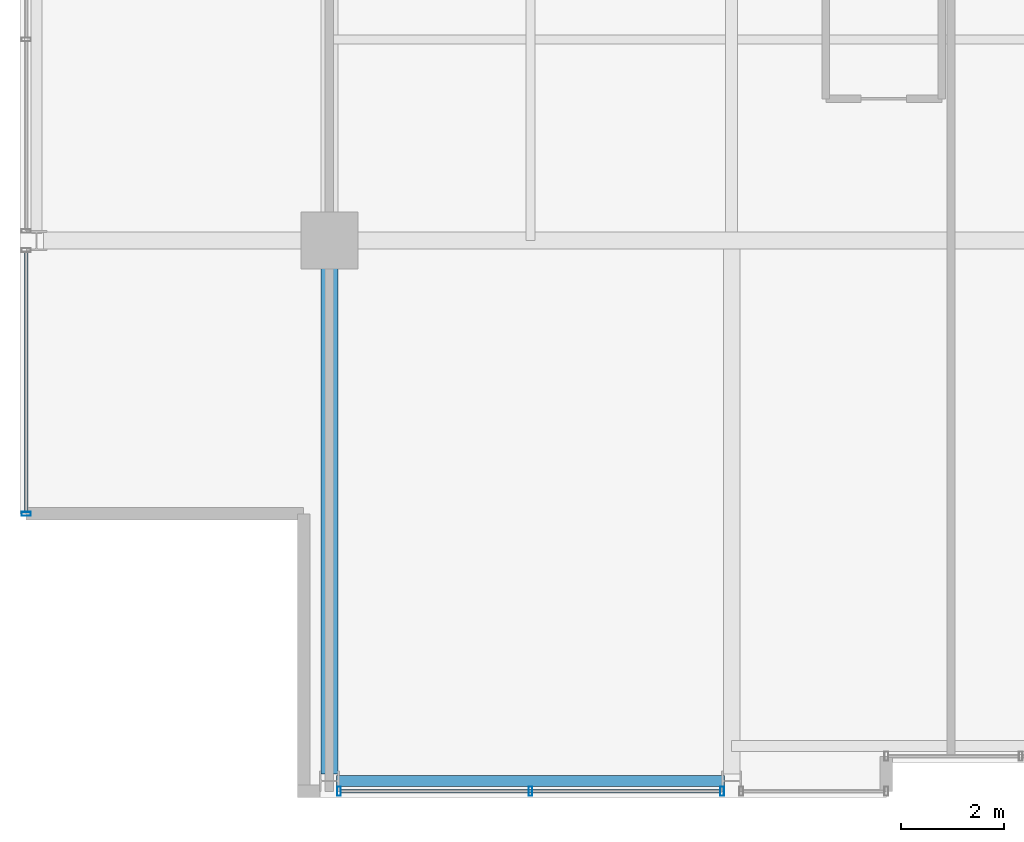
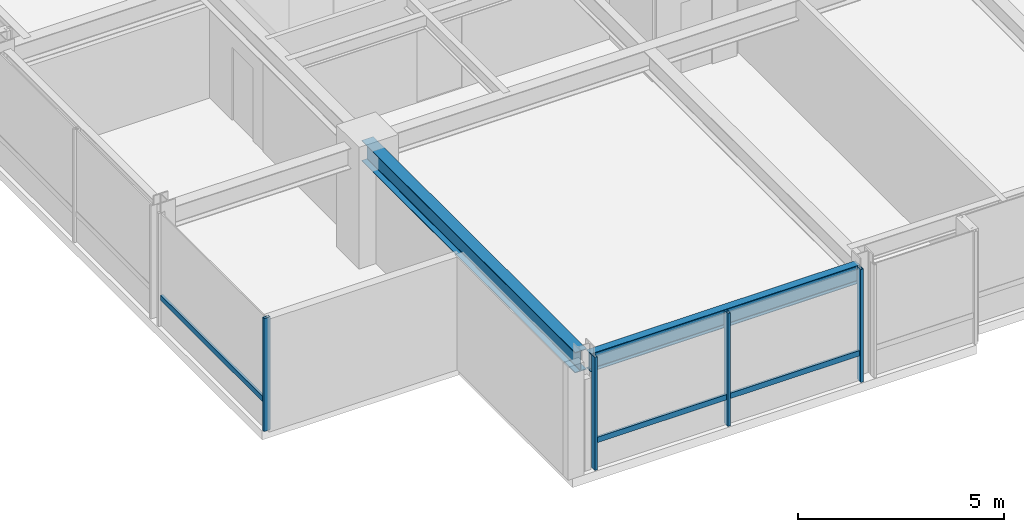
# One storey, part 2 of 30: 6 members, 2 beams, 2 elements without a shape of their own.
"""IFC4 building model written with IfcOpenShell, lengths in metres."""

import ifcopenshell
import ifcopenshell.guid

model = None  # the IFC model being written
_history = None  # IfcOwnerHistory: only IFC2X3 demands one
_inside = {}  # id of a spatial element -> (the spatial element, [elements in it])
_under = {}  # id of a project, library or spatial element -> (it, [spatial elements below it])
_declared = {}  # id of a project -> (the project, [libraries it declares])
_typed = {}  # id of a type object -> (the type object, [elements of that type])
_made_of = {}  # id of a material, layer set ... -> (it, [elements and type objects made of it])


def new_model(schema):
    """Start an empty IFC model of exactly this schema.

    Asked for "IFC4X3", IfcOpenShell would pick the latest addendum, in which some entities
    have other attributes; the version numbers below select the first issue.
    IFC2X3 requires an IfcOwnerHistory on every rooted entity: one is made here for all.
    """
    global model, _history
    if schema == "IFC4X3":
        model = ifcopenshell.file(schema_version=(4, 3, 0, 0))
    else:
        model = ifcopenshell.file(schema=schema)
    _inside.clear()
    _under.clear()
    _declared.clear()
    _typed.clear()
    _made_of.clear()
    _history = None
    if model.schema == "IFC2X3":
        org = make("IfcOrganization", Name="unknown")
        user = make(
            "IfcPersonAndOrganization",
            ThePerson=make("IfcPerson", FamilyName="unknown"),
            TheOrganization=org,
        )
        app = make(
            "IfcApplication",
            ApplicationDeveloper=org,
            Version="unknown",
            ApplicationFullName="unknown",
            ApplicationIdentifier="unknown",
        )
        _history = make(
            "IfcOwnerHistory",
            OwningUser=user,
            OwningApplication=app,
            ChangeAction="ADDED",
            CreationDate=0,
        )
    return model


def make(cls, **values):
    """One entity of the class cls with the attributes given. An attribute that is None is left unset."""
    return model.create_entity(
        cls, **{name: value for name, value in values.items() if value is not None}
    )


def rooted(cls, **values):
    """An entity with a GlobalId (a new one), such as an element, a storey or a relation."""
    return make(cls, GlobalId=ifcopenshell.guid.new(), OwnerHistory=_history, **values)


def si_unit(unit_type, name, prefix=None):
    """IfcSIUnit, for example si_unit("LENGTHUNIT", "METRE", prefix="MILLI")."""
    return make("IfcSIUnit", UnitType=unit_type, Prefix=prefix, Name=name)


def assignment(units):
    """IfcUnitAssignment: the units of a project."""
    return None if units is None else make("IfcUnitAssignment", Units=units)


def point(xyz):
    """IfcCartesianPoint."""
    return None if xyz is None else make("IfcCartesianPoint", Coordinates=xyz)


def direction(xyz):
    """IfcDirection."""
    return None if xyz is None else make("IfcDirection", DirectionRatios=xyz)


def frame(location, z_axis=None, x_axis=None):
    """IfcAxis2Placement3D, a coordinate frame: its origin and axes. An axis left out is left unset."""
    return make(
        "IfcAxis2Placement3D",
        Location=point(location),
        Axis=direction(z_axis),
        RefDirection=direction(x_axis),
    )


def frame_2d(location, x_axis=None):
    """IfcAxis2Placement2D, a coordinate frame in the plane: its origin and x axis."""
    return make(
        "IfcAxis2Placement2D", Location=point(location), RefDirection=direction(x_axis)
    )


def origin():
    """The frame at (0, 0, 0) with its axes left unset."""
    return frame((0.0, 0.0, 0.0))


def origin_2d():
    """The frame at (0, 0) in the plane with its x axis left unset."""
    return frame_2d((0.0, 0.0))


def place(relative_to, where):
    """IfcLocalPlacement: puts the frame where relative to a parent placement (None: the world)."""
    return make(
        "IfcLocalPlacement", PlacementRelTo=relative_to, RelativePlacement=where
    )


def context(
    kind, dimensions, precision=None, world=None, true_north=None, identifier=None
):
    """IfcGeometricRepresentationContext, for example the 3D "Model" context."""
    return make(
        "IfcGeometricRepresentationContext",
        ContextIdentifier=identifier,
        ContextType=kind,
        CoordinateSpaceDimension=dimensions,
        Precision=precision,
        WorldCoordinateSystem=world,
        TrueNorth=true_north,
    )


def subcontext(parent, identifier, kind, view, scale=None):
    """IfcGeometricRepresentationSubContext, for example "Body" below "Model"."""
    return make(
        "IfcGeometricRepresentationSubContext",
        ContextIdentifier=identifier,
        ContextType=kind,
        ParentContext=parent,
        TargetScale=scale,
        TargetView=view,
    )


def project(units=None, contexts=None):
    """IfcProject with its units and contexts."""
    return rooted(
        "IfcProject",
        Name="project",
        RepresentationContexts=contexts,
        UnitsInContext=assignment(units),
    )


def spatial(cls, under=None, at=None, **own):
    """A site, building, storey or space (cls), placed at a placement, below another one or the project."""
    s = rooted(cls, ObjectPlacement=at, **own)
    if under is not None:
        _under.setdefault(under.id(), (under, []))[1].append(s)
    return s


def profile(cls, at=None, kind="AREA", **sizes):
    """A parametric profile (cls). Its sizes go by their IFC names, for example OverallWidth=200.0."""
    return make(cls, ProfileType=kind, Position=at, **sizes)


def hollow_rectangle(**sizes):
    """IfcRectangleHollowProfileDef."""
    return profile("IfcRectangleHollowProfileDef", **sizes)


def i_section(**sizes):
    """IfcIShapeProfileDef."""
    return profile("IfcIShapeProfileDef", **sizes)


def extrude(swept, where, along, depth):
    """IfcExtrudedAreaSolid: the profile swept, set in the frame where, extruded along a direction by depth."""
    return make(
        "IfcExtrudedAreaSolid",
        SweptArea=swept,
        Position=where,
        ExtrudedDirection=direction(along),
        Depth=depth,
    )


def shape(context_of_items, identifier, shape_type, items):
    """IfcShapeRepresentation: the items that make up one representation, for example the "Body"."""
    return make(
        "IfcShapeRepresentation",
        ContextOfItems=context_of_items,
        RepresentationIdentifier=identifier,
        RepresentationType=shape_type,
        Items=items,
    )


def material(Name=None, Category=None):
    """IfcMaterial."""
    return make("IfcMaterial", Name=Name, Category=Category)


def layer(
    of_material, thickness, ventilated=None, Name=None, Category=None, Priority=None
):
    """IfcMaterialLayer: one layer of a wall or slab, of a material (None: an air gap)."""
    return make(
        "IfcMaterialLayer",
        Material=of_material,
        LayerThickness=thickness,
        IsVentilated=ventilated,
        Name=Name,
        Category=Category,
        Priority=Priority,
    )


def layer_set(layers, Name=None):
    """IfcMaterialLayerSet."""
    return make("IfcMaterialLayerSet", MaterialLayers=layers, LayerSetName=Name)


def material_profile(
    of_material, cross_section, Name=None, Category=None, Priority=None
):
    """IfcMaterialProfile: a cross section and its material."""
    return make(
        "IfcMaterialProfile",
        Name=Name,
        Material=of_material,
        Profile=cross_section,
        Priority=Priority,
        Category=Category,
    )


def profile_set(profiles, Name=None, composite=None):
    """IfcMaterialProfileSet."""
    return make(
        "IfcMaterialProfileSet",
        Name=Name,
        MaterialProfiles=profiles,
        CompositeProfile=composite,
    )


def made_of(thing, what):
    """Note that an element or type object is made of a material, layer set ...; save() writes the relation."""
    if what is not None:
        _made_of.setdefault(what.id(), (what, []))[1].append(thing)
    return thing


def type_object(cls, material=None, **own):
    """A type object (cls), such as IfcWallType, which elements share."""
    return made_of(rooted(cls, **own), material)


def element(
    cls,
    number,
    at=None,
    inside=None,
    cuts=None,
    type_object=None,
    material=None,
    context=None,
    identifier="Body",
    shape_type=None,
    held_by="IfcProductDefinitionShape",
    body=None,
    shapes=None,
    **own,
):
    """One element of the class cls, such as IfcWall. Its Tag is "e" and its number.

    at: its placement. inside: the storey or other place that contains it. cuts: it is an
    opening in that element (IfcRelVoidsElement). A single representation is given by context,
    identifier, shape_type and body (its items); several are given by shapes. held_by: the class
    of the entity that holds the representations. save() writes the other relations.
    """
    e = rooted(cls, Tag="e%d" % number, ObjectPlacement=at, **own)
    if body is not None:
        shapes = [shape(context, identifier, shape_type, body)]
    if shapes is not None:
        e.Representation = make(held_by, Representations=shapes)
    if inside is not None:
        _inside.setdefault(inside.id(), (inside, []))[1].append(e)
    if cuts is not None:
        rooted(
            "IfcRelVoidsElement", RelatingBuildingElement=cuts, RelatedOpeningElement=e
        )
    if type_object is not None:
        _typed.setdefault(type_object.id(), (type_object, []))[1].append(e)
    return made_of(e, material)


def aggregate(whole, parts):
    """IfcRelAggregates: a whole, such as a stair, and the parts it consists of."""
    return rooted("IfcRelAggregates", RelatingObject=whole, RelatedObjects=parts)


def save(model, path):
    """Write the relations noted so far, then the file.

    IfcRelAggregates (storeys below a building ...), IfcRelContainedInSpatialStructure (elements
    in a storey), IfcRelDefinesByType, IfcRelAssociatesMaterial and IfcRelDeclares: one each for
    every whole, place, type object, material and project.
    """
    for whole, parts in _under.values():
        aggregate(whole, parts)
    for where, things in _inside.values():
        rooted(
            "IfcRelContainedInSpatialStructure",
            RelatedElements=things,
            RelatingStructure=where,
        )
    for kind, things in _typed.values():
        rooted("IfcRelDefinesByType", RelatedObjects=things, RelatingType=kind)
    for what, things in _made_of.values():
        rooted("IfcRelAssociatesMaterial", RelatedObjects=things, RelatingMaterial=what)
    for by, libraries in _declared.values():
        rooted("IfcRelDeclares", RelatingContext=by, RelatedDefinitions=libraries)
    model.write(path)


model = new_model("IFC4")

# Units and contexts
model_context = context("Model", 3, precision=1e-05, world=origin(), true_north=direction((0.0, 1.0)))
body_context = subcontext(model_context, "Body", "Model", "MODEL_VIEW")
ifc_project = project(units=[si_unit("LENGTHUNIT", "METRE"), si_unit("AREAUNIT", "SQUARE_METRE"), si_unit("VOLUMEUNIT", "CUBIC_METRE"), si_unit("PLANEANGLEUNIT", "RADIAN"), si_unit("MASSUNIT", "GRAM", prefix="KILO")], contexts=[model_context])

# Site, building, storey
site_placement = place(None, origin())
site = spatial("IfcSite", under=ifc_project, at=site_placement, CompositionType="ELEMENT")
building_placement = place(site_placement, origin())
building = spatial("IfcBuilding", under=site, at=building_placement, Name="Drelvath Grand Hotel", CompositionType="ELEMENT")
storey_placement = place(building_placement, frame((0.0, 0.0, 215.89990234375)))
storey = spatial("IfcBuildingStorey", under=building, at=storey_placement, Name="L56", CompositionType="ELEMENT", Elevation=215.89990234375)

# Curtain wall, member
ifc_material_1 = material(Name="Platinum-Mist Anodised Aluminium Frame", Category="aluminium")
ifc_layer = layer(ifc_material_1, 0.199951171875)
ifc_layer_set = layer_set([ifc_layer], Name="Platinum-Mist Anodised Aluminium Frame")
curtain_wall_type = type_object("IfcCurtainWallType", Name="Stick Curtain Wall CW-05 Platinum Mist High-Rise", PredefinedType="NOTDEFINED", material=ifc_layer_set)
curtain_wall_1_placement = place(storey_placement, origin())
curtain_wall_1 = element("IfcCurtainWall", 1, at=curtain_wall_1_placement, inside=storey, type_object=curtain_wall_type, Name="L56 CW-05 Curtain Wall CW05-L56-WS1", PredefinedType="NOTDEFINED")
ifc_material_profile_1 = material_profile(ifc_material_1, hollow_rectangle(XDim=0.06494140625, YDim=0.159912109375, WallThickness=0.00390625, at=origin_2d()), Name="HSS160X65X4")
ifc_profile_set_1 = profile_set([ifc_material_profile_1], Name="Platinum-Mist Anodised Aluminium Frame")
member_type_1 = type_object("IfcMemberType", Name="Curtain Wall Horizontal Transom CW-05 HSS160X65X4", PredefinedType="USERDEFINED", material=ifc_profile_set_1)
member_1_placement = place(storey_placement, frame((-22.080078125, 5.5400390625, 0.835205078125), z_axis=(0.0, 1.0, 0.0), x_axis=(-1.0, 0.0, 0.0)))
member_1 = element("IfcMember", 2, at=member_1_placement, type_object=member_type_1, Name="CW05-L56-WS1 Sill Transom", ObjectType="TRANSOM", PredefinedType="USERDEFINED", context=body_context, shape_type="SweptSolid", body=[
    extrude(hollow_rectangle(XDim=0.06494140625, YDim=0.159912109375, WallThickness=0.00390625, at=origin_2d()), origin(), (0.0, 0.0, 1.0), 5.03466796875),
])

curtain_wall_2_placement = place(storey_placement, origin())
curtain_wall_2 = element("IfcCurtainWall", 3, at=curtain_wall_2_placement, inside=storey, type_object=curtain_wall_type, Name="L56 CW-05 Curtain Wall CW05-L56-SW2", PredefinedType="NOTDEFINED")
member_2_placement = place(storey_placement, frame((-8.625244140625, 0.1201171875, 0.835205078125), z_axis=(-1.0, 0.0, 0.0), x_axis=(0.0, -1.0, 0.0)))
member_2 = element("IfcMember", 4, at=member_2_placement, type_object=member_type_1, Name="CW05-L56-SW2 Sill Transom", ObjectType="TRANSOM", PredefinedType="USERDEFINED", context=body_context, shape_type="SweptSolid", body=[
    extrude(hollow_rectangle(XDim=0.06494140625, YDim=0.159912109375, WallThickness=0.00390625, at=origin_2d()), origin(), (0.0, 0.0, 1.0), 7.349365234375),
])

# Member
ifc_material_profile_2 = material_profile(ifc_material_1, hollow_rectangle(XDim=0.074951171875, YDim=0.179931640625, WallThickness=0.0048828125, at=origin_2d()), Name="HSS180X75X5")
ifc_profile_set_2 = profile_set([ifc_material_profile_2], Name="Platinum-Mist Anodised Aluminium Frame")
member_type_2 = type_object("IfcMemberType", Name="Curtain Wall Vertical Mullion CW-05 HSS180X75X5", PredefinedType="MULLION", material=ifc_profile_set_2)
member_3_placement = place(storey_placement, frame((-22.080078125, 5.5, 0.0), z_axis=(0.0, 0.0, 1.0), x_axis=(0.0, 1.0, 0.0)))
member_3 = element("IfcMember", 5, at=member_3_placement, type_object=member_type_2, Name="CW05-L56-WS1 Mullion 1", PredefinedType="MULLION", context=body_context, shape_type="SweptSolid", body=[
    extrude(hollow_rectangle(XDim=0.074951171875, YDim=0.179931640625, WallThickness=0.0048828125, at=origin_2d()), origin(), (0.0, 0.0, 1.0), 3.340087890625),
])

aggregate(curtain_wall_1, [member_3, member_1])

member_4_placement = place(storey_placement, frame((-8.585205078125, 0.1201171875, 0.0), z_axis=(0.0, 0.0, 1.0), x_axis=(1.0, 0.0, 0.0)))
member_4 = element("IfcMember", 6, at=member_4_placement, type_object=member_type_2, Name="CW05-L56-SW2 Mullion 1", PredefinedType="MULLION", context=body_context, shape_type="SweptSolid", body=[
    extrude(hollow_rectangle(XDim=0.074951171875, YDim=0.179931640625, WallThickness=0.0048828125, at=origin_2d()), origin(), (0.0, 0.0, 1.0), 3.340087890625),
])

member_5_placement = place(storey_placement, frame((-12.300048828125, 0.1201171875, 0.0), z_axis=(0.0, 0.0, 1.0), x_axis=(1.0, 0.0, 0.0)))
member_5 = element("IfcMember", 7, at=member_5_placement, type_object=member_type_2, Name="CW05-L56-SW2 Mullion 2", PredefinedType="MULLION", context=body_context, shape_type="SweptSolid", body=[
    extrude(hollow_rectangle(XDim=0.074951171875, YDim=0.179931640625, WallThickness=0.0048828125, at=origin_2d()), origin(), (0.0, 0.0, 1.0), 3.340087890625),
])

member_6_placement = place(storey_placement, frame((-16.0146484375, 0.1201171875, 0.0), z_axis=(0.0, 0.0, 1.0), x_axis=(1.0, 0.0, 0.0)))
member_6 = element("IfcMember", 8, at=member_6_placement, type_object=member_type_2, Name="CW05-L56-SW2 Mullion 3", PredefinedType="MULLION", context=body_context, shape_type="SweptSolid", body=[
    extrude(hollow_rectangle(XDim=0.074951171875, YDim=0.179931640625, WallThickness=0.0048828125, at=origin_2d()), origin(), (0.0, 0.0, 1.0), 3.340087890625),
])

aggregate(curtain_wall_2, [member_4, member_5, member_6, member_2])

# Beams
ifc_material_2 = material(Name="Steel ASTM A992 Gr 50", Category="steel")
ifc_material_profile_3 = material_profile(ifc_material_2, i_section(OverallWidth=0.210205078125, OverallDepth=0.53662109375, WebThickness=0.010986328125, FlangeThickness=0.017333984375, FilletRadius=0.01806640625, at=origin_2d()), Name="W21X68")
ifc_profile_set_3 = profile_set([ifc_material_profile_3], Name="Steel ASTM A992 Gr 50")
beam_type_1 = type_object("IfcBeamType", Name="Perimeter Spandrel Beam W21X68", PredefinedType="SPANDREL", material=ifc_profile_set_3)
beam_1_placement = place(storey_placement, frame((-16.06005859375, 0.320068359375, 3.07177734375), z_axis=(1.0, 0.0, 0.0), x_axis=(0.0, 1.0, 0.0)))
element("IfcBeam", 9, at=beam_1_placement, inside=storey, type_object=beam_type_1, Name="L56 Spandrel South W", PredefinedType="SPANDREL", context=body_context, shape_type="SweptSolid", body=[
    extrude(i_section(OverallWidth=0.210205078125, OverallDepth=0.53662109375, WebThickness=0.010986328125, FlangeThickness=0.017333984375, FilletRadius=0.01806640625, at=origin_2d()), origin(), (0.0, 0.0, 1.0), 7.52001953125),
])
ifc_material_profile_4 = material_profile(ifc_material_2, i_section(OverallWidth=0.323974609375, OverallDepth=0.611083984375, WebThickness=0.0126953125, FlangeThickness=0.01904296875, FilletRadius=0.02197265625, at=origin_2d()), Name="W24X104")
ifc_profile_set_4 = profile_set([ifc_material_profile_4], Name="Steel ASTM A992 Gr 50")
beam_type_2 = type_object("IfcBeamType", Name="Primary Floor Girder W24X104", PredefinedType="BEAM", material=ifc_profile_set_4)
beam_2_placement = place(storey_placement, frame((-16.199951171875, 0.4599609375, 3.034423828125), z_axis=(0.0, 1.0, 0.0), x_axis=(-1.0, 0.0, 0.0)))
element("IfcBeam", 10, at=beam_2_placement, inside=storey, type_object=beam_type_2, Name="L56 South Grid Girder 3", PredefinedType="BEAM", context=body_context, shape_type="SweptSolid", body=[
    extrude(i_section(OverallWidth=0.323974609375, OverallDepth=0.611083984375, WebThickness=0.0126953125, FlangeThickness=0.01904296875, FilletRadius=0.02197265625, at=origin_2d()), origin(), (0.0, 0.0, 1.0), 10.340087890625),
])

save(model, "model.ifc")
